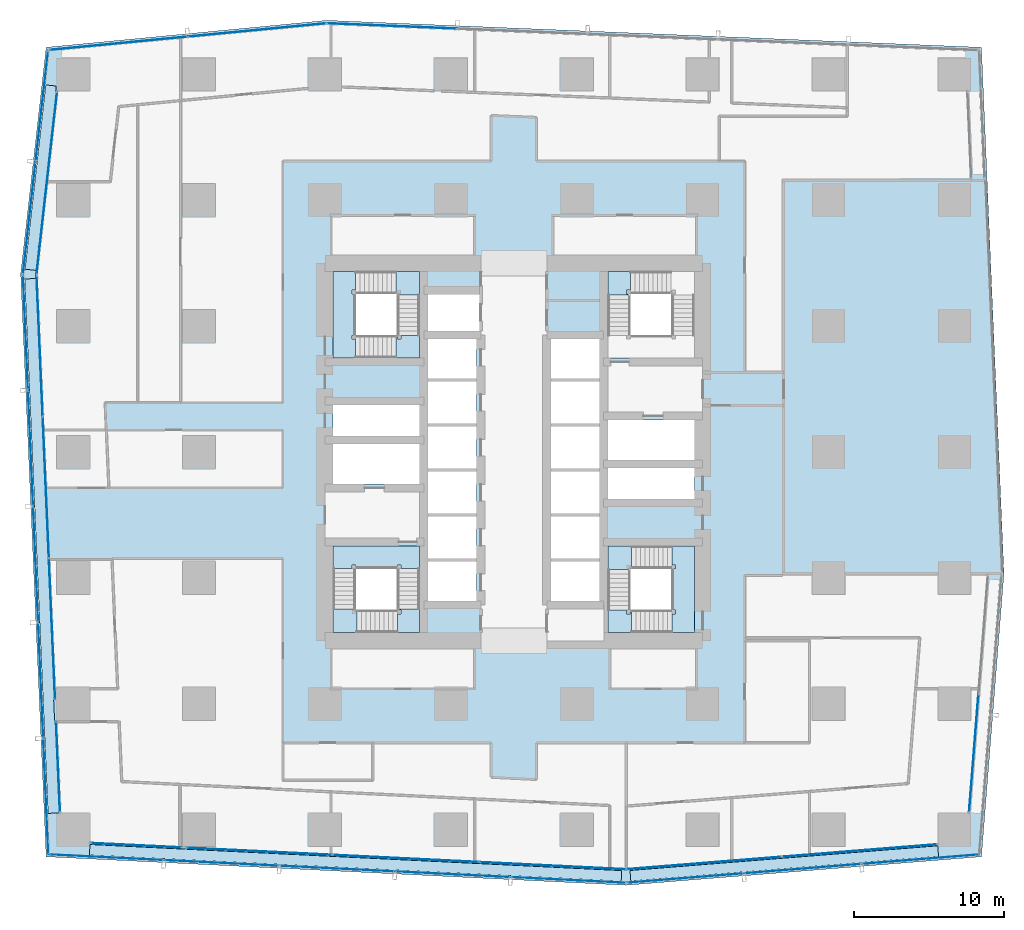
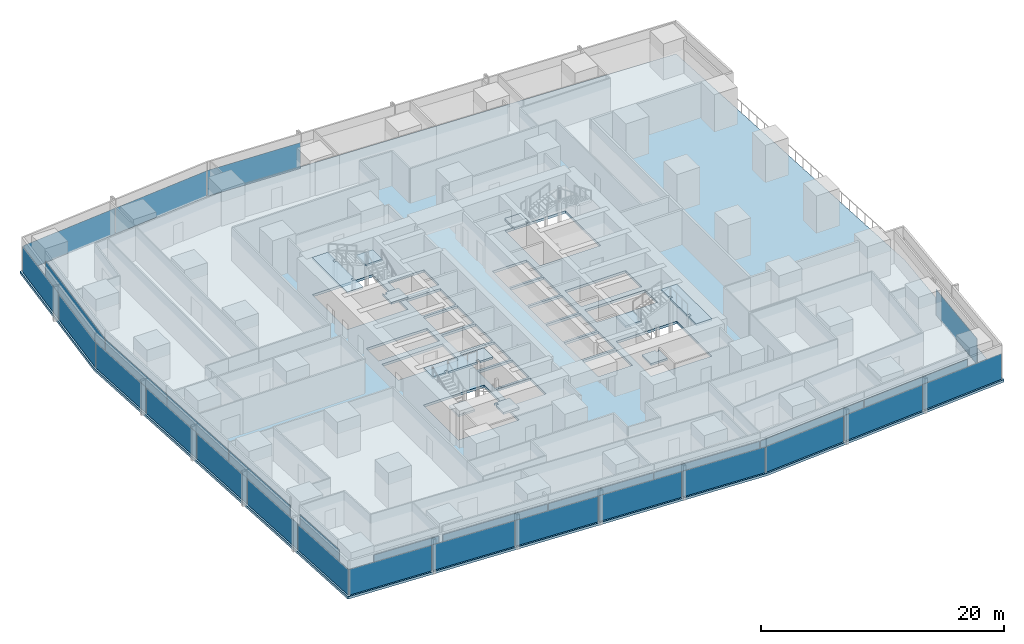
# One storey, part 28 of 42: 34 plates, 11 slabs, 17 elements without a shape of their own.
"""IFC4 building model written with IfcOpenShell, lengths in metres."""

from ifc_helpers import new_model, si_unit, direction, frame, origin, origin_2d, place, context, subcontext, project, spatial, polyline, rectangle, outline, extrude, material, layer, layer_set, type_object, element, aggregate, save


model = new_model("IFC4")

# Units and contexts
model_context = context("Model", 3, precision=1e-05, world=origin(), true_north=direction((0.0, 1.0)))
body_context = subcontext(model_context, "Body", "Model", "MODEL_VIEW")
ifc_project = project(units=[si_unit("LENGTHUNIT", "METRE"), si_unit("AREAUNIT", "SQUARE_METRE"), si_unit("VOLUMEUNIT", "CUBIC_METRE"), si_unit("PLANEANGLEUNIT", "RADIAN"), si_unit("MASSUNIT", "GRAM", prefix="KILO")], contexts=[model_context])

# Site, building, storey
site_placement = place(None, origin())
site = spatial("IfcSite", under=ifc_project, at=site_placement, CompositionType="ELEMENT")
building_placement = place(site_placement, origin())
building = spatial("IfcBuilding", under=site, at=building_placement, Name="Rekha Terrace Tower", CompositionType="ELEMENT")
storey_placement = place(building_placement, frame((0.0, 0.0, 40.39990234375)))
storey = spatial("IfcBuildingStorey", under=building, at=storey_placement, Name="L09", CompositionType="ELEMENT", Elevation=40.39990234375)

# Curtain wall, plate
ifc_material_1 = material(Name="Aluminium framing", Category="aluminium")
curtain_wall_type_1 = type_object("IfcCurtainWallType", Name="CW1 double skin inner glazing", PredefinedType="USERDEFINED", material=ifc_material_1)
curtain_wall_1_placement = place(storey_placement, origin())
curtain_wall_1 = element("IfcCurtainWall", 1, at=curtain_wall_1_placement, inside=storey, type_object=curtain_wall_type_1, Name="CW1 double skin inner glazing", ObjectType="DOUBLE SKIN INNER GLAZING", PredefinedType="USERDEFINED")
ifc_material_2 = material(Name="Double-glazed low-e unit 32", Category="glass")
ifc_layer_1 = layer(ifc_material_2, 0.031982421875)
ifc_layer_set_1 = layer_set([ifc_layer_1], Name="Double-glazed low-e unit 32")
plate_type_1 = type_object("IfcPlateType", Name="CW1 jumbo vision panel, double-glazed low-e unit 32", PredefinedType="CURTAIN_PANEL", material=ifc_layer_set_1)
plate_1_placement = place(storey_placement, frame((12.60009765625, 7.36669921875, 0.0), z_axis=(0.0, 0.0, 1.0), x_axis=(0.998796239977, -0.049051717693, 0.0)))
plate_1 = element("IfcPlate", 2, at=plate_1_placement, type_object=plate_type_1, Name="CW1 panel 1.1", PredefinedType="CURTAIN_PANEL", context=body_context, shape_type="SweptSolid", body=[
    extrude(rectangle(XDim=6.028076171875, YDim=0.031982421875, at=origin_2d()), origin(), (0.0, 0.0, 1.0), 2.60009765625),
])
aggregate(curtain_wall_1, [plate_1])

# Curtain wall, plates
curtain_wall_2_placement = place(storey_placement, origin())
curtain_wall_2 = element("IfcCurtainWall", 3, at=curtain_wall_2_placement, inside=storey, type_object=curtain_wall_type_1, Name="CW1 double skin inner glazing", ObjectType="DOUBLE SKIN INNER GLAZING", PredefinedType="USERDEFINED")
plate_2_placement = place(storey_placement, frame((20.818603515625, 6.962890625, 0.0), z_axis=(0.0, 0.0, 1.0), x_axis=(0.998796239974, -0.049051717746, 0.0)))
plate_2 = element("IfcPlate", 4, at=plate_2_placement, type_object=plate_type_1, Name="CW1 panel 1.1", PredefinedType="CURTAIN_PANEL", context=body_context, shape_type="SweptSolid", body=[
    extrude(rectangle(XDim=9.701904296875, YDim=0.031982421875, at=origin_2d()), origin(), (0.0, 0.0, 1.0), 2.60009765625),
])
plate_3_placement = place(storey_placement, frame((30.590087890625, 6.483154296875, 0.0), z_axis=(0.0, 0.0, 1.0), x_axis=(0.998796239974, -0.049051717746, 0.0)))
plate_3 = element("IfcPlate", 5, at=plate_3_placement, type_object=plate_type_1, Name="CW1 panel 2.1", PredefinedType="CURTAIN_PANEL", context=body_context, shape_type="SweptSolid", body=[
    extrude(rectangle(XDim=9.734619140625, YDim=0.031982421875, at=origin_2d()), origin(), (0.0, 0.0, 1.0), 2.60009765625),
])
plate_4_placement = place(storey_placement, frame((40.39404296875, 6.001708984375, 0.0), z_axis=(0.0, 0.0, 1.0), x_axis=(0.998796239974, -0.049051717746, 0.0)))
plate_4 = element("IfcPlate", 6, at=plate_4_placement, type_object=plate_type_1, Name="CW1 panel 3.1", PredefinedType="CURTAIN_PANEL", context=body_context, shape_type="SweptSolid", body=[
    extrude(rectangle(XDim=9.76708984375, YDim=0.031982421875, at=origin_2d()), origin(), (0.0, 0.0, 1.0), 2.60009765625),
])
aggregate(curtain_wall_2, [plate_2, plate_3, plate_4])

curtain_wall_3_placement = place(storey_placement, origin())
curtain_wall_3 = element("IfcCurtainWall", 7, at=curtain_wall_3_placement, inside=storey, type_object=curtain_wall_type_1, Name="CW1 double skin inner glazing", ObjectType="DOUBLE SKIN INNER GLAZING", PredefinedType="USERDEFINED")
plate_5_placement = place(storey_placement, frame((50.488037109375, 6.18017578125, 0.0), z_axis=(0.0, 0.0, 1.0), x_axis=(0.996805111821, 0.079872204468, 0.0)))
plate_5 = element("IfcPlate", 8, at=plate_5_placement, type_object=plate_type_1, Name="CW1 panel 1.1", PredefinedType="CURTAIN_PANEL", context=body_context, shape_type="SweptSolid", body=[
    extrude(rectangle(XDim=10.336181640625, YDim=0.031982421875, at=origin_2d()), origin(), (0.0, 0.0, 1.0), 2.60009765625),
])
plate_6_placement = place(storey_placement, frame((60.85595703125, 7.0107421875, 0.0), z_axis=(0.0, 0.0, 1.0), x_axis=(0.996805111821, 0.079872204468, 0.0)))
plate_6 = element("IfcPlate", 9, at=plate_6_placement, type_object=plate_type_1, Name="CW1 panel 2.1", PredefinedType="CURTAIN_PANEL", context=body_context, shape_type="SweptSolid", body=[
    extrude(rectangle(XDim=10.336181640625, YDim=0.031982421875, at=origin_2d()), origin(), (0.0, 0.0, 1.0), 2.60009765625),
])
aggregate(curtain_wall_3, [plate_5, plate_6])

# Curtain wall, plate
curtain_wall_4_placement = place(storey_placement, origin())
curtain_wall_4 = element("IfcCurtainWall", 10, at=curtain_wall_4_placement, inside=storey, type_object=curtain_wall_type_1, Name="CW1 double skin inner glazing", ObjectType="DOUBLE SKIN INNER GLAZING", PredefinedType="USERDEFINED")
plate_7_placement = place(storey_placement, frame((68.4853515625, 13.512451171875, 0.0), z_axis=(0.0, 0.0, 1.0), x_axis=(0.079116300982, 0.996865392578, 0.0)))
plate_7 = element("IfcPlate", 11, at=plate_7_placement, type_object=plate_type_1, Name="CW1 panel 1.1", PredefinedType="CURTAIN_PANEL", context=body_context, shape_type="SweptSolid", body=[
    extrude(rectangle(XDim=7.865234375, YDim=0.031982421875, at=origin_2d()), origin(), (0.0, 0.0, 1.0), 2.60009765625),
])
aggregate(curtain_wall_4, [plate_7])

curtain_wall_5_placement = place(storey_placement, origin())
curtain_wall_5 = element("IfcCurtainWall", 12, at=curtain_wall_5_placement, inside=storey, type_object=curtain_wall_type_1, Name="CW1 double skin inner glazing", ObjectType="DOUBLE SKIN INNER GLAZING", PredefinedType="USERDEFINED")
plate_8_placement = place(storey_placement, frame((6.646728515625, 51.52734375, 0.0), z_axis=(0.0, 0.0, 1.0), x_axis=(-0.111729870748, -0.993738615524, 0.0)))
plate_8 = element("IfcPlate", 13, at=plate_8_placement, type_object=plate_type_1, Name="CW1 panel 1.1", PredefinedType="CURTAIN_PANEL", context=body_context, shape_type="SweptSolid", body=[
    extrude(rectangle(XDim=12.243896484375, YDim=0.031982421875, at=origin_2d()), origin(), (0.0, 0.0, 1.0), 2.60009765625),
])
aggregate(curtain_wall_5, [plate_8])

# Curtain wall, plates
curtain_wall_6_placement = place(storey_placement, origin())
curtain_wall_6 = element("IfcCurtainWall", 14, at=curtain_wall_6_placement, inside=storey, type_object=curtain_wall_type_1, Name="CW1 double skin inner glazing", ObjectType="DOUBLE SKIN INNER GLAZING", PredefinedType="USERDEFINED")
plate_9_placement = place(storey_placement, frame((6.170166015625, 40.69482421875, 0.0), z_axis=(0.0, 0.0, 1.0), x_axis=(0.043682543337, -0.999045462133, 0.0)))
plate_9 = element("IfcPlate", 15, at=plate_9_placement, type_object=plate_type_1, Name="CW1 panel 1.1", PredefinedType="CURTAIN_PANEL", context=body_context, shape_type="SweptSolid", body=[
    extrude(rectangle(XDim=9.376953125, YDim=0.031982421875, at=origin_2d()), origin(), (0.0, 0.0, 1.0), 2.60009765625),
])
plate_10_placement = place(storey_placement, frame((6.58349609375, 31.245361328125, 0.0), z_axis=(0.0, 0.0, 1.0), x_axis=(0.043682543337, -0.999045462133, 0.0)))
plate_10 = element("IfcPlate", 16, at=plate_10_placement, type_object=plate_type_1, Name="CW1 panel 2.1", PredefinedType="CURTAIN_PANEL", context=body_context, shape_type="SweptSolid", body=[
    extrude(rectangle(XDim=9.40966796875, YDim=0.031982421875, at=origin_2d()), origin(), (0.0, 0.0, 1.0), 2.60009765625),
])
plate_11_placement = place(storey_placement, frame((6.99658203125, 21.796142578125, 0.0), z_axis=(0.0, 0.0, 1.0), x_axis=(0.043682543337, -0.999045462133, 0.0)))
plate_11 = element("IfcPlate", 17, at=plate_11_placement, type_object=plate_type_1, Name="CW1 panel 3.1", PredefinedType="CURTAIN_PANEL", context=body_context, shape_type="SweptSolid", body=[
    extrude(rectangle(XDim=9.376953125, YDim=0.031982421875, at=origin_2d()), origin(), (0.0, 0.0, 1.0), 2.60009765625),
])
aggregate(curtain_wall_6, [plate_9, plate_10, plate_11])

# Curtain wall, plate
curtain_wall_7_placement = place(storey_placement, origin())
curtain_wall_7 = element("IfcCurtainWall", 18, at=curtain_wall_7_placement, inside=storey, type_object=curtain_wall_type_1, Name="CW1 double skin inner glazing", ObjectType="DOUBLE SKIN INNER GLAZING", PredefinedType="USERDEFINED")
plate_12_placement = place(storey_placement, frame((7.398681640625, 12.60009765625, 0.0), z_axis=(0.0, 0.0, 1.0), x_axis=(0.043682543424, -0.999045462129, 0.0)))
plate_12 = element("IfcPlate", 19, at=plate_12_placement, type_object=plate_type_1, Name="CW1 panel 1.1", PredefinedType="CURTAIN_PANEL", context=body_context, shape_type="SweptSolid", body=[
    extrude(rectangle(XDim=6.027587890625, YDim=0.031982421875, at=origin_2d()), origin(), (0.0, 0.0, 1.0), 2.60009765625),
])
aggregate(curtain_wall_7, [plate_12])

# Curtain wall, plates
curtain_wall_type_2 = type_object("IfcCurtainWallType", Name="CW2 double skin outer glazing", PredefinedType="USERDEFINED", material=ifc_material_1)
curtain_wall_8_placement = place(storey_placement, origin())
curtain_wall_8 = element("IfcCurtainWall", 20, at=curtain_wall_8_placement, inside=storey, type_object=curtain_wall_type_2, Name="CW2 double skin outer glazing", ObjectType="DOUBLE SKIN OUTER GLAZING", PredefinedType="USERDEFINED")
ifc_material_3 = material(Name="Toughened single glazing 12", Category="glass")
ifc_layer_2 = layer(ifc_material_3, 0.011962890625)
ifc_layer_set_2 = layer_set([ifc_layer_2], Name="Toughened single glazing 12")
plate_type_2 = type_object("IfcPlateType", Name="CW2 jumbo vision panel, toughened single glazing 12", PredefinedType="CURTAIN_PANEL", material=ifc_layer_set_2)
plate_13_placement = place(storey_placement, frame((10.626708984375, 6.5625, 0.0), z_axis=(0.0, 0.0, 1.0), x_axis=(0.998796239974, -0.049051717746, 0.0)))
plate_13 = element("IfcPlate", 21, at=plate_13_placement, type_object=plate_type_2, Name="CW2 panel 1.1", PredefinedType="CURTAIN_PANEL", context=body_context, shape_type="SweptSolid", body=[
    extrude(rectangle(XDim=7.595703125, YDim=0.011962890625, at=origin_2d()), origin(), (0.0, 0.0, 1.0), 2.60009765625),
])
plate_14_placement = place(storey_placement, frame((18.31298828125, 6.18505859375, 0.0), z_axis=(0.0, 0.0, 1.0), x_axis=(0.998796239974, -0.049051717746, 0.0)))
plate_14 = element("IfcPlate", 22, at=plate_14_placement, type_object=plate_type_2, Name="CW2 panel 2.1", PredefinedType="CURTAIN_PANEL", context=body_context, shape_type="SweptSolid", body=[
    extrude(rectangle(XDim=7.6357421875, YDim=0.011962890625, at=origin_2d()), origin(), (0.0, 0.0, 1.0), 2.60009765625),
])
plate_15_placement = place(storey_placement, frame((26.01953125, 5.806396484375, 0.0), z_axis=(0.0, 0.0, 1.0), x_axis=(0.998796239974, -0.049051717746, 0.0)))
plate_15 = element("IfcPlate", 23, at=plate_15_placement, type_object=plate_type_2, Name="CW2 panel 3.1", PredefinedType="CURTAIN_PANEL", context=body_context, shape_type="SweptSolid", body=[
    extrude(rectangle(XDim=7.6357421875, YDim=0.011962890625, at=origin_2d()), origin(), (0.0, 0.0, 1.0), 2.60009765625),
])
plate_16_placement = place(storey_placement, frame((33.725830078125, 5.427978515625, 0.0), z_axis=(0.0, 0.0, 1.0), x_axis=(0.998796239974, -0.049051717746, 0.0)))
plate_16 = element("IfcPlate", 24, at=plate_16_placement, type_object=plate_type_2, Name="CW2 panel 4.1", PredefinedType="CURTAIN_PANEL", context=body_context, shape_type="SweptSolid", body=[
    extrude(rectangle(XDim=7.6357421875, YDim=0.011962890625, at=origin_2d()), origin(), (0.0, 0.0, 1.0), 2.60009765625),
])
plate_17_placement = place(storey_placement, frame((41.452392578125, 5.048583984375, 0.0), z_axis=(0.0, 0.0, 1.0), x_axis=(0.998796239974, -0.049051717746, 0.0)))
plate_17 = element("IfcPlate", 25, at=plate_17_placement, type_object=plate_type_2, Name="CW2 panel 5.1", PredefinedType="CURTAIN_PANEL", context=body_context, shape_type="SweptSolid", body=[
    extrude(rectangle(XDim=7.67578125, YDim=0.011962890625, at=origin_2d()), origin(), (0.0, 0.0, 1.0), 2.60009765625),
])
aggregate(curtain_wall_8, [plate_13, plate_14, plate_15, plate_16, plate_17])

curtain_wall_9_placement = place(storey_placement, origin())
curtain_wall_9 = element("IfcCurtainWall", 26, at=curtain_wall_9_placement, inside=storey, type_object=curtain_wall_type_2, Name="CW2 double skin outer glazing", ObjectType="DOUBLE SKIN OUTER GLAZING", PredefinedType="USERDEFINED")
plate_18_placement = place(storey_placement, frame((49.233154296875, 5.176513671875, 0.0), z_axis=(0.0, 0.0, 1.0), x_axis=(0.996805111821, 0.079872204468, 0.0)))
plate_18 = element("IfcPlate", 27, at=plate_18_placement, type_object=plate_type_2, Name="CW2 panel 1.1", PredefinedType="CURTAIN_PANEL", context=body_context, shape_type="SweptSolid", body=[
    extrude(rectangle(XDim=7.760498046875, YDim=0.011962890625, at=origin_2d()), origin(), (0.0, 0.0, 1.0), 2.60009765625),
])
plate_19_placement = place(storey_placement, frame((57.068359375, 5.804443359375, 0.0), z_axis=(0.0, 0.0, 1.0), x_axis=(0.996805111821, 0.079872204468, 0.0)))
plate_19 = element("IfcPlate", 28, at=plate_19_placement, type_object=plate_type_2, Name="CW2 panel 2.1", PredefinedType="CURTAIN_PANEL", context=body_context, shape_type="SweptSolid", body=[
    extrude(rectangle(XDim=7.800537109375, YDim=0.011962890625, at=origin_2d()), origin(), (0.0, 0.0, 1.0), 2.60009765625),
])
plate_20_placement = place(storey_placement, frame((64.943603515625, 6.435546875, 0.0), z_axis=(0.0, 0.0, 1.0), x_axis=(0.996805111821, 0.079872204468, 0.0)))
plate_20 = element("IfcPlate", 29, at=plate_20_placement, type_object=plate_type_2, Name="CW2 panel 3.1", PredefinedType="CURTAIN_PANEL", context=body_context, shape_type="SweptSolid", body=[
    extrude(rectangle(XDim=7.84033203125, YDim=0.011962890625, at=origin_2d()), origin(), (0.0, 0.0, 1.0), 2.60009765625),
])
aggregate(curtain_wall_9, [plate_18, plate_19, plate_20])

curtain_wall_10_placement = place(storey_placement, origin())
curtain_wall_10 = element("IfcCurtainWall", 30, at=curtain_wall_10_placement, inside=storey, type_object=curtain_wall_type_2, Name="CW2 double skin outer glazing", ObjectType="DOUBLE SKIN OUTER GLAZING", PredefinedType="USERDEFINED")
plate_21_placement = place(storey_placement, frame((6.3212890625, 56.688720703125, 0.0), z_axis=(0.0, 0.0, 1.0), x_axis=(-0.111729870782, -0.99373861552, 0.0)))
plate_21 = element("IfcPlate", 31, at=plate_21_placement, type_object=plate_type_2, Name="CW2 panel 1.1", PredefinedType="CURTAIN_PANEL", context=body_context, shape_type="SweptSolid", body=[
    extrude(rectangle(XDim=7.41650390625, YDim=0.011962890625, at=origin_2d()), origin(), (0.0, 0.0, 1.0), 2.60009765625),
])
plate_22_placement = place(storey_placement, frame((5.479248046875, 49.19921875, 0.0), z_axis=(0.0, 0.0, 1.0), x_axis=(-0.111729870782, -0.99373861552, 0.0)))
plate_22 = element("IfcPlate", 32, at=plate_22_placement, type_object=plate_type_2, Name="CW2 panel 2.1", PredefinedType="CURTAIN_PANEL", context=body_context, shape_type="SweptSolid", body=[
    extrude(rectangle(XDim=7.49658203125, YDim=0.011962890625, at=origin_2d()), origin(), (0.0, 0.0, 1.0), 2.60009765625),
])
aggregate(curtain_wall_10, [plate_21, plate_22])

curtain_wall_11_placement = place(storey_placement, origin())
curtain_wall_11 = element("IfcCurtainWall", 33, at=curtain_wall_11_placement, inside=storey, type_object=curtain_wall_type_2, Name="CW2 double skin outer glazing", ObjectType="DOUBLE SKIN OUTER GLAZING", PredefinedType="USERDEFINED")
plate_23_placement = place(storey_placement, frame((5.23046875, 41.582275390625, 0.0), z_axis=(0.0, 0.0, 1.0), x_axis=(0.043682543372, -0.999045462131, 0.0)))
plate_23 = element("IfcPlate", 34, at=plate_23_placement, type_object=plate_type_2, Name="CW2 panel 1.1", PredefinedType="CURTAIN_PANEL", context=body_context, shape_type="SweptSolid", body=[
    extrude(rectangle(XDim=7.6318359375, YDim=0.011962890625, at=origin_2d()), origin(), (0.0, 0.0, 1.0), 2.60009765625),
])
plate_24_placement = place(storey_placement, frame((5.568359375, 33.85791015625, 0.0), z_axis=(0.0, 0.0, 1.0), x_axis=(0.043682543372, -0.999045462131, 0.0)))
plate_24 = element("IfcPlate", 35, at=plate_24_placement, type_object=plate_type_2, Name="CW2 panel 2.1", PredefinedType="CURTAIN_PANEL", context=body_context, shape_type="SweptSolid", body=[
    extrude(rectangle(XDim=7.671875, YDim=0.011962890625, at=origin_2d()), origin(), (0.0, 0.0, 1.0), 2.60009765625),
])
plate_25_placement = place(storey_placement, frame((5.906982421875, 26.113525390625, 0.0), z_axis=(0.0, 0.0, 1.0), x_axis=(0.043682543372, -0.999045462131, 0.0)))
plate_25 = element("IfcPlate", 36, at=plate_25_placement, type_object=plate_type_2, Name="CW2 panel 3.1", PredefinedType="CURTAIN_PANEL", context=body_context, shape_type="SweptSolid", body=[
    extrude(rectangle(XDim=7.671875, YDim=0.011962890625, at=origin_2d()), origin(), (0.0, 0.0, 1.0), 2.60009765625),
])
plate_26_placement = place(storey_placement, frame((6.24560546875, 18.369140625, 0.0), z_axis=(0.0, 0.0, 1.0), x_axis=(0.043682543372, -0.999045462131, 0.0)))
plate_26 = element("IfcPlate", 37, at=plate_26_placement, type_object=plate_type_2, Name="CW2 panel 4.1", PredefinedType="CURTAIN_PANEL", context=body_context, shape_type="SweptSolid", body=[
    extrude(rectangle(XDim=7.671875, YDim=0.011962890625, at=origin_2d()), origin(), (0.0, 0.0, 1.0), 2.60009765625),
])
plate_27_placement = place(storey_placement, frame((6.5849609375, 10.60498046875, 0.0), z_axis=(0.0, 0.0, 1.0), x_axis=(0.043682543372, -0.999045462131, 0.0)))
plate_27 = element("IfcPlate", 38, at=plate_27_placement, type_object=plate_type_2, Name="CW2 panel 5.1", PredefinedType="CURTAIN_PANEL", context=body_context, shape_type="SweptSolid", body=[
    extrude(rectangle(XDim=7.711669921875, YDim=0.011962890625, at=origin_2d()), origin(), (0.0, 0.0, 1.0), 2.60009765625),
])
aggregate(curtain_wall_11, [plate_23, plate_24, plate_25, plate_26, plate_27])

# Curtain wall, plate
curtain_wall_type_3 = type_object("IfcCurtainWallType", Name="CW3 north unitised glazing", PredefinedType="USERDEFINED", material=ifc_material_1)
curtain_wall_12_placement = place(storey_placement, origin())
curtain_wall_12 = element("IfcCurtainWall", 39, at=curtain_wall_12_placement, inside=storey, type_object=curtain_wall_type_3, Name="CW3 unitised curtain wall", ObjectType="UNITISED CURTAIN WALL", PredefinedType="USERDEFINED")
ifc_material_4 = material(Name="Double-glazed unit 28", Category="glass")
ifc_layer_3 = layer(ifc_material_4, 0.028076171875)
ifc_layer_set_3 = layer_set([ifc_layer_3], Name="Double-glazed unit 28")
plate_type_3 = type_object("IfcPlateType", Name="CW3 jumbo vision panel, double-glazed unit 28", PredefinedType="CURTAIN_PANEL", material=ifc_layer_set_3)
plate_28_placement = place(storey_placement, frame((29.65625, 62.021240234375, 0.0), z_axis=(0.0, 0.0, 1.0), x_axis=(-0.999151997647, 0.041173846041, 0.0)))
plate_28 = element("IfcPlate", 40, at=plate_28_placement, type_object=plate_type_3, Name="CW3 panel 5.1", PredefinedType="CURTAIN_PANEL", context=body_context, shape_type="SweptSolid", body=[
    extrude(rectangle(XDim=8.6689453125, YDim=0.028076171875, at=origin_2d()), origin(), (0.0, 0.0, 1.0), 2.60009765625),
])
aggregate(curtain_wall_12, [plate_28])

# Curtain wall, plates
curtain_wall_13_placement = place(storey_placement, origin())
curtain_wall_13 = element("IfcCurtainWall", 41, at=curtain_wall_13_placement, inside=storey, type_object=curtain_wall_type_3, Name="CW3 unitised curtain wall", ObjectType="UNITISED CURTAIN WALL", PredefinedType="USERDEFINED")
plate_29_placement = place(storey_placement, frame((20.671875, 61.752197265625, 0.0), z_axis=(0.0, 0.0, 1.0), x_axis=(-0.995409029102, -0.095712406625, 0.0)))
plate_29 = element("IfcPlate", 42, at=plate_29_placement, type_object=plate_type_3, Name="CW3 panel 1.1", PredefinedType="CURTAIN_PANEL", context=body_context, shape_type="SweptSolid", body=[
    extrude(rectangle(XDim=9.210205078125, YDim=0.028076171875, at=origin_2d()), origin(), (0.0, 0.0, 1.0), 2.60009765625),
])
plate_30_placement = place(storey_placement, frame((11.434326171875, 60.864013671875, 0.0), z_axis=(0.0, 0.0, 1.0), x_axis=(-0.995409029102, -0.095712406625, 0.0)))
plate_30 = element("IfcPlate", 43, at=plate_30_placement, type_object=plate_type_3, Name="CW3 panel 2.1", PredefinedType="CURTAIN_PANEL", context=body_context, shape_type="SweptSolid", body=[
    extrude(rectangle(XDim=9.210205078125, YDim=0.028076171875, at=origin_2d()), origin(), (0.0, 0.0, 1.0), 2.60009765625),
])
aggregate(curtain_wall_13, [plate_29, plate_30])

# Plates
ifc_material_5 = material(Name="Galvanised steel open grating", Category="steel")
ifc_layer_4 = layer(ifc_material_5, 0.050048828125)
ifc_layer_set_4 = layer_set([ifc_layer_4], Name="Galvanised steel open grating")
plate_type_4 = type_object("IfcPlateType", Name="GT1 cavity walkway grating 50", PredefinedType="USERDEFINED", material=ifc_layer_set_4)
plate_31_placement = place(storey_placement, frame((27.24365234375, 6.197021484375, 0.0), z_axis=(0.0, 0.0, 1.0), x_axis=(0.998796239974, -0.049051717746, 0.0)))
element("IfcPlate", 44, at=plate_31_placement, inside=storey, type_object=plate_type_4, Name="Cavity walkway grating", ObjectType="CAVITY WALKWAY GRATING", PredefinedType="USERDEFINED", context=body_context, shape_type="SweptSolid", body=[
    extrude(rectangle(XDim=35.512939453125, YDim=0.705078125, at=origin_2d()), origin(), (0.0, 0.0, 1.0), 0.050048828125),
])
plate_32_placement = place(storey_placement, frame((55.841552734375, 6.15771484375, 0.0), z_axis=(0.0, 0.0, 1.0), x_axis=(0.996805111821, 0.079872204468, 0.0)))
element("IfcPlate", 45, at=plate_32_placement, inside=storey, type_object=plate_type_4, Name="Cavity walkway grating", ObjectType="CAVITY WALKWAY GRATING", PredefinedType="USERDEFINED", context=body_context, shape_type="SweptSolid", body=[
    extrude(rectangle(XDim=20.59375, YDim=0.705078125, at=origin_2d()), origin(), (0.0, 0.0, 1.0), 0.050048828125),
])
plate_33_placement = place(storey_placement, frame((6.236328125, 51.90576171875, 0.0), z_axis=(0.0, 0.0, 1.0), x_axis=(-0.1117298708, -0.993738615518, 0.0)))
element("IfcPlate", 46, at=plate_33_placement, inside=storey, type_object=plate_type_4, Name="Cavity walkway grating", ObjectType="CAVITY WALKWAY GRATING", PredefinedType="USERDEFINED", context=body_context, shape_type="SweptSolid", body=[
    extrude(rectangle(XDim=12.374267578125, YDim=0.705078125, at=origin_2d()), origin(), (0.0, 0.0, 1.0), 0.050048828125),
])
plate_34_placement = place(storey_placement, frame((6.303955078125, 27.3349609375, 0.0), z_axis=(0.0, 0.0, 1.0), x_axis=(0.043682543355, -0.999045462132, 0.0)))
element("IfcPlate", 47, at=plate_34_placement, inside=storey, type_object=plate_type_4, Name="Cavity walkway grating", ObjectType="CAVITY WALKWAY GRATING", PredefinedType="USERDEFINED", context=body_context, shape_type="SweptSolid", body=[
    extrude(rectangle(XDim=35.682861328125, YDim=0.705078125, at=origin_2d()), origin(), (0.0, 0.0, 1.0), 0.050048828125),
])

# Stair, slabs
ifc_material_6 = material(Name="Concrete M40", Category="concrete")
stair_type = type_object("IfcStairType", Name="ST30 stair, 30 risers of 125, going 300, 1500 wide flights, 3 flights", PredefinedType="HALF_TURN_STAIR", material=ifc_material_6)
stair_1_placement = place(storey_placement, origin())
stair_1 = element("IfcStair", 48, at=stair_1_placement, inside=storey, type_object=stair_type, Name="Stair ST1 L09 to L10", PredefinedType="HALF_TURN_STAIR")
ifc_layer_5 = layer(ifc_material_6, 0.199951171875)
ifc_layer_set_5 = layer_set([ifc_layer_5], Name="Concrete M40")
slab_type_1 = type_object("IfcSlabType", Name="LD1 200 concrete stair landing", PredefinedType="LANDING", material=ifc_layer_set_5)
slab_1_placement = place(storey_placement, frame((0.0, 0.0, 1.050048828125)))
slab_1 = element("IfcSlab", 49, at=slab_1_placement, type_object=slab_type_1, Name="ST1 landing 1", PredefinedType="LANDING", context=body_context, shape_type="SweptSolid", body=[
    extrude(outline(polyline([(30.02490234375, 21.550048828125), (31.52490234375, 21.550048828125), (31.52490234375, 23.125), (30.02490234375, 23.125), (30.02490234375, 23.050048828125), (30.27490234375, 23.050048828125), (30.27490234375, 22.800048828125), (30.02490234375, 22.800048828125), (30.02490234375, 21.550048828125)])), origin(), (0.0, 0.0, 1.0), 0.199951171875),
])
slab_2_placement = place(storey_placement, frame((0.0, 0.0, 2.300048828125)))
slab_2 = element("IfcSlab", 50, at=slab_2_placement, type_object=slab_type_1, Name="ST1 landing 2", PredefinedType="LANDING", context=body_context, shape_type="SweptSolid", body=[
    extrude(outline(polyline([(27.25, 23.125), (25.75, 23.125), (25.75, 21.550048828125), (27.324951171875, 21.550048828125), (27.324951171875, 23.050048828125), (27.25, 23.050048828125), (27.25, 23.125)])), origin(), (0.0, 0.0, 1.0), 0.199951171875),
])
slab_3_placement = place(storey_placement, frame((0.0, 0.0, 3.550048828125)))
slab_3 = element("IfcSlab", 51, at=slab_3_placement, type_object=slab_type_1, Name="ST1 landing 3", PredefinedType="LANDING", context=body_context, shape_type="SweptSolid", body=[
    extrude(outline(polyline([(31.52490234375, 25.824951171875), (31.52490234375, 27.324951171875), (25.75, 27.324951171875), (25.75, 25.824951171875), (27.0, 25.824951171875), (27.0, 26.074951171875), (27.25, 26.074951171875), (27.25, 25.824951171875), (30.02490234375, 25.824951171875), (30.02490234375, 26.074951171875), (30.27490234375, 26.074951171875), (30.27490234375, 25.824951171875), (31.52490234375, 25.824951171875)])), origin(), (0.0, 0.0, 1.0), 0.199951171875),
])
aggregate(stair_1, [slab_1, slab_2, slab_3])

# Stair, slab
stair_2_placement = place(storey_placement, origin())
stair_2 = element("IfcStair", 52, at=stair_2_placement, inside=storey, type_object=stair_type, Name="Stair ST2 L09 to L10", PredefinedType="HALF_TURN_STAIR")
slab_4_placement = place(storey_placement, frame((0.0, 0.0, 1.050048828125)))
slab_4 = element("IfcSlab", 53, at=slab_4_placement, type_object=slab_type_1, Name="ST2 landing 1", PredefinedType="LANDING", context=body_context, shape_type="SweptSolid", body=[
    extrude(outline(polyline([(45.574951171875, 45.64990234375), (44.074951171875, 45.64990234375), (44.074951171875, 44.074951171875), (45.574951171875, 44.074951171875), (45.574951171875, 44.14990234375), (45.324951171875, 44.14990234375), (45.324951171875, 44.39990234375), (45.574951171875, 44.39990234375), (45.574951171875, 45.64990234375)])), origin(), (0.0, 0.0, 1.0), 0.199951171875),
])
aggregate(stair_2, [slab_4])

# Stair, slabs
stair_3_placement = place(storey_placement, origin())
stair_3 = element("IfcStair", 54, at=stair_3_placement, inside=storey, type_object=stair_type, Name="Stair ST3 L09 to L10", PredefinedType="HALF_TURN_STAIR")
slab_5_placement = place(storey_placement, frame((0.0, 0.0, 1.050048828125)))
slab_5 = element("IfcSlab", 55, at=slab_5_placement, type_object=slab_type_1, Name="ST3 landing 1", PredefinedType="LANDING", context=body_context, shape_type="SweptSolid", body=[
    extrude(outline(polyline([(44.074951171875, 23.050048828125), (44.074951171875, 21.550048828125), (45.64990234375, 21.550048828125), (45.64990234375, 23.050048828125), (45.574951171875, 23.050048828125), (45.574951171875, 22.800048828125), (45.324951171875, 22.800048828125), (45.324951171875, 23.050048828125), (44.074951171875, 23.050048828125)])), origin(), (0.0, 0.0, 1.0), 0.199951171875),
])
slab_6_placement = place(storey_placement, frame((0.0, 0.0, 2.300048828125)))
slab_6 = element("IfcSlab", 56, at=slab_6_placement, type_object=slab_type_1, Name="ST3 landing 2", PredefinedType="LANDING", context=body_context, shape_type="SweptSolid", body=[
    extrude(outline(polyline([(45.64990234375, 25.824951171875), (45.64990234375, 27.324951171875), (44.074951171875, 27.324951171875), (44.074951171875, 25.75), (45.574951171875, 25.75), (45.574951171875, 25.824951171875), (45.64990234375, 25.824951171875)])), origin(), (0.0, 0.0, 1.0), 0.199951171875),
])
slab_7_placement = place(storey_placement, frame((0.0, 0.0, 3.550048828125)))
slab_7 = element("IfcSlab", 57, at=slab_7_placement, type_object=slab_type_1, Name="ST3 landing 3", PredefinedType="LANDING", context=body_context, shape_type="SweptSolid", body=[
    extrude(outline(polyline([(48.35009765625, 21.550048828125), (49.85009765625, 21.550048828125), (49.85009765625, 27.324951171875), (48.35009765625, 27.324951171875), (48.35009765625, 26.074951171875), (48.60009765625, 26.074951171875), (48.60009765625, 25.824951171875), (48.35009765625, 25.824951171875), (48.35009765625, 23.050048828125), (48.60009765625, 23.050048828125), (48.60009765625, 22.800048828125), (48.35009765625, 22.800048828125), (48.35009765625, 21.550048828125)])), origin(), (0.0, 0.0, 1.0), 0.199951171875),
])
aggregate(stair_3, [slab_5, slab_6, slab_7])

stair_4_placement = place(storey_placement, origin())
stair_4 = element("IfcStair", 58, at=stair_4_placement, inside=storey, type_object=stair_type, Name="Stair ST4 L09 to L10", PredefinedType="HALF_TURN_STAIR")
slab_8_placement = place(storey_placement, frame((0.0, 0.0, 1.050048828125)))
slab_8 = element("IfcSlab", 59, at=slab_8_placement, type_object=slab_type_1, Name="ST4 landing 1", PredefinedType="LANDING", context=body_context, shape_type="SweptSolid", body=[
    extrude(outline(polyline([(31.52490234375, 41.375), (31.52490234375, 39.875), (29.949951171875, 39.875), (29.949951171875, 41.375), (30.02490234375, 41.375), (30.02490234375, 41.125), (30.27490234375, 41.125), (30.27490234375, 41.375), (31.52490234375, 41.375)])), origin(), (0.0, 0.0, 1.0), 0.199951171875),
])
slab_9_placement = place(storey_placement, frame((0.0, 0.0, 2.300048828125)))
slab_9 = element("IfcSlab", 60, at=slab_9_placement, type_object=slab_type_1, Name="ST4 landing 2", PredefinedType="LANDING", context=body_context, shape_type="SweptSolid", body=[
    extrude(outline(polyline([(29.949951171875, 44.14990234375), (29.949951171875, 45.64990234375), (31.52490234375, 45.64990234375), (31.52490234375, 44.074951171875), (30.02490234375, 44.074951171875), (30.02490234375, 44.14990234375), (29.949951171875, 44.14990234375)])), origin(), (0.0, 0.0, 1.0), 0.199951171875),
])
slab_10_placement = place(storey_placement, frame((0.0, 0.0, 3.550048828125)))
slab_10 = element("IfcSlab", 61, at=slab_10_placement, type_object=slab_type_1, Name="ST4 landing 3", PredefinedType="LANDING", context=body_context, shape_type="SweptSolid", body=[
    extrude(outline(polyline([(27.25, 39.875), (25.75, 39.875), (25.75, 45.64990234375), (27.25, 45.64990234375), (27.25, 44.39990234375), (27.0, 44.39990234375), (27.0, 44.14990234375), (27.25, 44.14990234375), (27.25, 41.375), (27.0, 41.375), (27.0, 41.125), (27.25, 41.125), (27.25, 39.875)])), origin(), (0.0, 0.0, 1.0), 0.199951171875),
])
aggregate(stair_4, [slab_8, slab_9, slab_10])

# Slab
ifc_material_7 = material(Name="Concrete M50", Category="concrete")
ifc_layer_6 = layer(ifc_material_7, 0.25)
ifc_layer_set_6 = layer_set([ifc_layer_6], Name="Concrete M50")
slab_type_2 = type_object("IfcSlabType", Name="SL4 250 post-tensioned flat plate", PredefinedType="FLOOR", material=ifc_layer_set_6)
slab_11_placement = place(storey_placement, frame((0.0, 0.0, -0.25)))
element("IfcSlab", 62, at=slab_11_placement, inside=storey, type_object=slab_type_2, Name="Post-tensioned flat plate L09", PredefinedType="FLOOR", context=body_context, shape_type="SweptSolid", body=[
    extrude(outline(polyline([(4.89990234375, 45.47998046875), (6.60009765625, 6.60009765625), (45.2880859375, 4.699951171875), (69.0, 6.60009765625), (70.5, 25.5), (69.0, 60.60009765625), (25.320068359375, 62.39990234375), (6.60009765625, 60.60009765625), (4.89990234375, 45.47998046875)]), holes=[polyline([(31.52490234375, 27.324951171875), (31.52490234375, 21.550048828125), (25.75, 21.550048828125), (25.75, 27.324951171875), (31.52490234375, 27.324951171875)]), polyline([(35.324951171875, 26.300048828125), (35.324951171875, 23.675048828125), (32.074951171875, 23.675048828125), (32.074951171875, 26.300048828125), (35.324951171875, 26.300048828125)]), polyline([(35.324951171875, 29.300048828125), (35.324951171875, 26.5), (32.074951171875, 26.5), (32.074951171875, 29.300048828125), (35.324951171875, 29.300048828125)]), polyline([(35.324951171875, 29.5), (32.074951171875, 29.5), (32.074951171875, 32.300048828125), (35.324951171875, 32.300048828125), (35.324951171875, 29.5)]), polyline([(31.52490234375, 31.47509765625), (25.75, 31.47509765625), (25.75, 34.125), (31.52490234375, 34.125), (31.52490234375, 31.47509765625)]), polyline([(35.324951171875, 35.300048828125), (35.324951171875, 32.5), (32.074951171875, 32.5), (32.074951171875, 35.300048828125), (35.324951171875, 35.300048828125)]), polyline([(31.52490234375, 36.72509765625), (31.52490234375, 34.675048828125), (25.75, 34.675048828125), (25.75, 36.72509765625), (31.52490234375, 36.72509765625)]), polyline([(35.324951171875, 38.300048828125), (35.324951171875, 35.5), (32.074951171875, 35.5), (32.074951171875, 38.300048828125), (35.324951171875, 38.300048828125)]), polyline([(35.324951171875, 38.5), (32.074951171875, 38.5), (32.074951171875, 41.125), (35.324951171875, 41.125), (35.324951171875, 38.5)]), polyline([(31.52490234375, 39.875), (25.75, 39.875), (25.75, 45.64990234375), (31.52490234375, 45.64990234375), (31.52490234375, 39.875)]), polyline([(35.5, 44.125), (35.5, 41.675048828125), (32.074951171875, 41.675048828125), (32.074951171875, 44.125), (35.5, 44.125)]), polyline([(49.85009765625, 27.324951171875), (49.85009765625, 21.550048828125), (44.074951171875, 21.550048828125), (44.074951171875, 27.324951171875), (49.85009765625, 27.324951171875)]), polyline([(43.52490234375, 26.300048828125), (43.52490234375, 23.675048828125), (40.27490234375, 23.675048828125), (40.27490234375, 26.300048828125), (43.52490234375, 26.300048828125)]), polyline([(43.52490234375, 26.5), (40.27490234375, 26.5), (40.27490234375, 29.300048828125), (43.52490234375, 29.300048828125), (43.52490234375, 26.5)]), polyline([(43.52490234375, 29.5), (40.27490234375, 29.5), (40.27490234375, 32.300048828125), (43.52490234375, 32.300048828125), (43.52490234375, 29.5)]), polyline([(49.85009765625, 32.52490234375), (49.85009765625, 30.47509765625), (44.074951171875, 30.47509765625), (44.074951171875, 32.52490234375), (49.85009765625, 32.52490234375)]), polyline([(43.52490234375, 32.5), (40.27490234375, 32.5), (40.27490234375, 35.300048828125), (43.52490234375, 35.300048828125), (43.52490234375, 32.5)]), polyline([(49.85009765625, 33.074951171875), (44.074951171875, 33.074951171875), (44.074951171875, 35.72509765625), (49.85009765625, 35.72509765625), (49.85009765625, 33.074951171875)]), polyline([(43.52490234375, 38.300048828125), (43.52490234375, 35.5), (40.27490234375, 35.5), (40.27490234375, 38.300048828125), (43.52490234375, 38.300048828125)]), polyline([(43.52490234375, 38.5), (40.27490234375, 38.5), (40.27490234375, 41.125), (43.52490234375, 41.125), (43.52490234375, 38.5)]), polyline([(49.85009765625, 39.875), (44.074951171875, 39.875), (44.074951171875, 45.64990234375), (49.85009765625, 45.64990234375), (49.85009765625, 39.875)])]), origin(), (0.0, 0.0, 1.0), 0.25),
])

save(model, "model.ifc")
